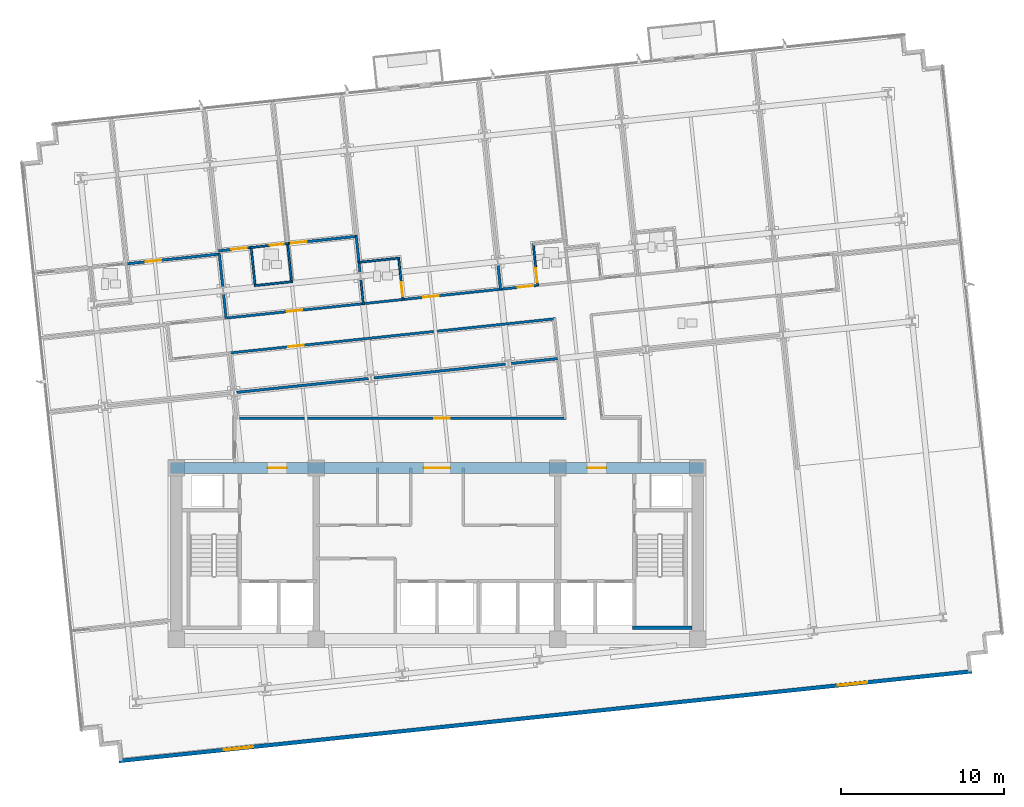
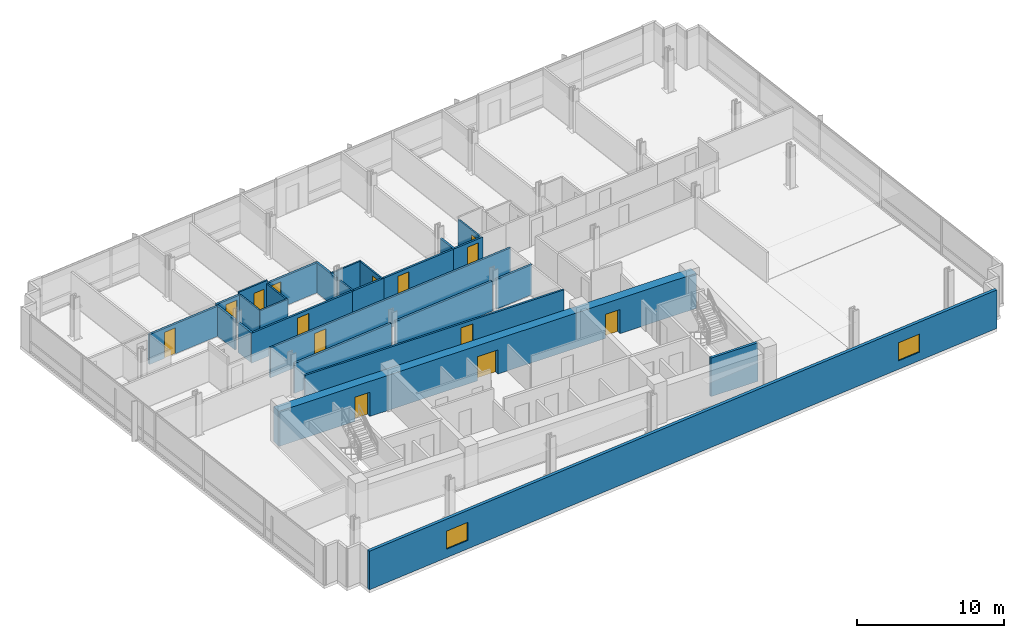
# One storey, part 11 of 18: 27 walls, 14 doors, 2 windows, 16 openings.
"""IFC4 building model written with IfcOpenShell, lengths in metres."""

from ifc_helpers import new_model, si_unit, direction, frame, frame_2d, origin, place, context, subcontext, project, spatial, rectangle, extrude, material, layer, layer_set, type_object, element, fill, save


model = new_model("IFC4")

# Units and contexts
model_context = context("Model", 3, precision=1e-05, world=origin(), true_north=direction((0.0, 1.0)))
body_context = subcontext(model_context, "Body", "Model", "MODEL_VIEW")
ifc_project = project(units=[si_unit("LENGTHUNIT", "METRE"), si_unit("AREAUNIT", "SQUARE_METRE"), si_unit("VOLUMEUNIT", "CUBIC_METRE"), si_unit("PLANEANGLEUNIT", "RADIAN"), si_unit("MASSUNIT", "GRAM", prefix="KILO")], contexts=[model_context])

# Site, building, storey
site_placement = place(None, origin())
site = spatial("IfcSite", under=ifc_project, at=site_placement, CompositionType="ELEMENT")
building_placement = place(site_placement, origin())
building = spatial("IfcBuilding", under=site, at=building_placement, Name="Solmavex Isthmus Hotel", CompositionType="ELEMENT")
storey_placement = place(building_placement, frame((0.0, 0.0, 120.14990234375)))
storey = spatial("IfcBuildingStorey", under=building, at=storey_placement, Name="L32", CompositionType="ELEMENT", Elevation=120.14990234375)

# Wall, openings, windows
ifc_material_1 = material(Name="Precast Concrete C40/50", Category="concrete")
ifc_layer_1 = layer(ifc_material_1, 0.25)
ifc_layer_set_1 = layer_set([ifc_layer_1], Name="Precast Concrete C40/50")
wall_type_1 = type_object("IfcWallType", Name="EW-TWR-250", PredefinedType="STANDARD", material=ifc_layer_set_1)
wall_1_placement = place(storey_placement, frame((-19.504150390625, -20.4716796875, 0.0), z_axis=(0.0, 0.0, 1.0), x_axis=(0.994521743132, 0.104529911687, 0.0)))
wall_1 = element("IfcWall", 1, at=wall_1_placement, inside=storey, type_object=wall_type_1, Name="Tower Rear South Facade Wall L32", PredefinedType="STANDARD", context=body_context, shape_type="SweptSolid", body=[
    extrude(rectangle(XDim=52.60009765625, YDim=0.239990234375, at=frame_2d((26.300048828125, 0.0))), origin(), (0.0, 0.0, 1.0), 3.190185546875),
])
opening_1_placement = place(wall_1_placement, frame((6.464111328125, 0.0, 0.699951171875)))
opening_1 = element("IfcOpeningElement", 2, at=opening_1_placement, cuts=wall_1, Name="Opening WN-02", PredefinedType="OPENING", context=body_context, shape_type="SweptSolid", body=[
    extrude(rectangle(XDim=1.800048828125, YDim=1.5, at=frame_2d((0.89990234375, 0.75))), frame((0.0, 0.1298828125, 0.0), z_axis=(0.0, -1.0, 0.0), x_axis=(1.0, 0.0, 0.0)), (0.0, 0.0, 1.0), 0.260009765625),
])
opening_2_placement = place(wall_1_placement, frame((44.3359375, 0.0, 0.699951171875)))
opening_2 = element("IfcOpeningElement", 3, at=opening_2_placement, cuts=wall_1, Name="Opening WN-02", PredefinedType="OPENING", context=body_context, shape_type="SweptSolid", body=[
    extrude(rectangle(XDim=1.800048828125, YDim=1.5, at=frame_2d((0.89990234375, 0.75))), frame((0.0, 0.1298828125, 0.0), z_axis=(0.0, -1.0, 0.0), x_axis=(1.0, 0.0, 0.0)), (0.0, 0.0, 1.0), 0.260009765625),
])
ifc_material_2 = material(Name="Clear low-E laminated glass", Category="glass")
window_type = type_object("IfcWindowType", Name="WIN-TWR-1800", PartitioningType="SINGLE_PANEL", PredefinedType="WINDOW", material=ifc_material_2)
window_1_placement = place(opening_1_placement, origin())
window_1 = element("IfcWindow", 4, at=window_1_placement, inside=storey, type_object=window_type, Name="South Facade Vision Window L32-S1", OverallHeight=1.5, OverallWidth=1.800048828125, PartitioningType="SINGLE_PANEL", PredefinedType="WINDOW", context=body_context, shape_type="SweptSolid", body=[
    extrude(rectangle(XDim=1.800048828125, YDim=1.5, at=frame_2d((0.89990234375, 0.75))), frame((0.0, 0.030029296875, 0.0), z_axis=(0.0, -1.0, 0.0), x_axis=(1.0, 0.0, 0.0)), (0.0, 0.0, 1.0), 0.06005859375),
])
fill(opening_1, window_1)
window_2_placement = place(opening_2_placement, origin())
window_2 = element("IfcWindow", 5, at=window_2_placement, inside=storey, type_object=window_type, Name="South Facade Vision Window L32-S2", OverallHeight=1.5, OverallWidth=1.800048828125, PartitioningType="SINGLE_PANEL", PredefinedType="WINDOW", context=body_context, shape_type="SweptSolid", body=[
    extrude(rectangle(XDim=1.800048828125, YDim=1.5, at=frame_2d((0.89990234375, 0.75))), frame((0.0, 0.030029296875, 0.0), z_axis=(0.0, -1.0, 0.0), x_axis=(1.0, 0.0, 0.0)), (0.0, 0.0, 1.0), 0.06005859375),
])
fill(opening_2, window_2)

# Wall, opening, door
ifc_material_3 = material(Name="Gypsum plasterboard lining", Category="gypsum")
ifc_layer_2 = layer(ifc_material_3, 0.159912109375)
ifc_layer_set_2 = layer_set([ifc_layer_2], Name="Gypsum plasterboard lining")
wall_type_2 = type_object("IfcWallType", Name="IW-COMP-160", PredefinedType="PARTITIONING", material=ifc_layer_set_2)
wall_2_placement = place(storey_placement, frame((-19.0947265625, 10.016357421875, 0.0), z_axis=(0.0, 0.0, 1.0), x_axis=(0.994523155578, 0.104516472481, 0.0)))
wall_2 = element("IfcWall", 6, at=wall_2_placement, inside=storey, type_object=wall_type_2, Name="Interior Partition Wall W-L32-P027", PredefinedType="PARTITIONING", context=body_context, shape_type="SweptSolid", body=[
    extrude(rectangle(XDim=5.81396484375, YDim=0.159912109375, at=frame_2d((2.906982421875, 0.0))), origin(), (0.0, 0.0, 1.0), 2.4794921875),
])
opening_3_placement = place(wall_2_placement, frame((1.227783203125, 0.0, 0.0)))
opening_3 = element("IfcOpeningElement", 7, at=opening_3_placement, cuts=wall_2, Name="Opening ID-C095", PredefinedType="OPENING", context=body_context, shape_type="SweptSolid", body=[
    extrude(rectangle(XDim=0.949951171875, YDim=2.14990234375, at=frame_2d((0.47509765625, 1.074951171875))), frame((0.0, 0.08984375, 0.0), z_axis=(0.0, -1.0, 0.0), x_axis=(1.0, 0.0, 0.0)), (0.0, 0.0, 1.0), 0.179931640625),
])
ifc_material_4 = material(Name="Hardwood timber", Category="wood")
door_type_1 = type_object("IfcDoorType", Name="IDR-FD60-0950", OperationType="NOTDEFINED", PredefinedType="DOOR", material=ifc_material_4)
door_1_placement = place(opening_3_placement, origin())
door_1 = element("IfcDoor", 8, at=door_1_placement, inside=storey, type_object=door_type_1, Name="Ambassador Panorama Suite Panorama Sitting Study Door L32-03", OperationType="SINGLE_SWING_LEFT", OverallHeight=2.14990234375, OverallWidth=0.949951171875, PredefinedType="DOOR", context=body_context, shape_type="SweptSolid", body=[
    extrude(rectangle(XDim=0.949951171875, YDim=2.14990234375, at=frame_2d((0.47509765625, 1.074951171875))), frame((0.0, 0.02490234375, 0.0), z_axis=(0.0, -1.0, 0.0), x_axis=(1.0, 0.0, 0.0)), (0.0, 0.0, 1.0), 0.050048828125),
])
fill(opening_3, door_1)

# Walls
wall_3_placement = place(storey_placement, frame((-13.3564453125, 10.65966796875, 0.0), z_axis=(0.0, 0.0, 1.0), x_axis=(0.104522458077, -0.994522526521, 0.0)))
element("IfcWall", 9, at=wall_3_placement, inside=storey, type_object=wall_type_2, Name="Interior Partition Wall W-L32-P031", PredefinedType="PARTITIONING", context=body_context, shape_type="SweptSolid", body=[
    extrude(rectangle(XDim=2.11376953125, YDim=0.159912109375, at=frame_2d((1.056884765625, 0.0))), origin(), (0.0, 0.0, 1.0), 2.4794921875),
])
wall_4_placement = place(storey_placement, frame((-13.0986328125, 8.206787109375, 0.0), z_axis=(0.0, 0.0, 1.0), x_axis=(0.104578999325, -0.994516582516, 0.0)))
element("IfcWall", 10, at=wall_4_placement, inside=storey, type_object=wall_type_2, Name="Interior Partition Wall W-L32-P032", PredefinedType="PARTITIONING", context=body_context, shape_type="SweptSolid", body=[
    extrude(rectangle(XDim=1.561767578125, YDim=0.159912109375, at=frame_2d((0.78076171875, 0.0))), origin(), (0.0, 0.0, 1.0), 2.4794921875),
])

# Wall, opening, door
wall_5_placement = place(storey_placement, frame((-13.412841796875, 10.814453125, 0.0), z_axis=(0.0, 0.0, 1.0), x_axis=(0.994511936055, 0.104623176422, 0.0)))
wall_5 = element("IfcWall", 11, at=wall_5_placement, inside=storey, type_object=wall_type_2, Name="Interior Partition Wall W-L32-P038", PredefinedType="PARTITIONING", context=body_context, shape_type="SweptSolid", body=[
    extrude(rectangle(XDim=2.062744140625, YDim=0.159912109375, at=frame_2d((1.03125, 0.0))), origin(), (0.0, 0.0, 1.0), 2.4794921875),
])
opening_4_placement = place(wall_5_placement, frame((0.806396484375, 0.0, 0.0)))
opening_4 = element("IfcOpeningElement", 12, at=opening_4_placement, cuts=wall_5, Name="Opening ID-C095", PredefinedType="OPENING", context=body_context, shape_type="SweptSolid", body=[
    extrude(rectangle(XDim=0.949951171875, YDim=2.14990234375, at=frame_2d((0.47509765625, 1.074951171875))), frame((0.0, 0.08984375, 0.0), z_axis=(0.0, -1.0, 0.0), x_axis=(1.0, 0.0, 0.0)), (0.0, 0.0, 1.0), 0.179931640625),
])
door_2_placement = place(opening_4_placement, origin())
door_2 = element("IfcDoor", 13, at=door_2_placement, inside=storey, type_object=door_type_1, Name="Diplomatic Hospitality Suite Bedroom Door L32-06", OperationType="SINGLE_SWING_RIGHT", OverallHeight=2.14990234375, OverallWidth=0.949951171875, PredefinedType="DOOR", context=body_context, shape_type="SweptSolid", body=[
    extrude(rectangle(XDim=0.949951171875, YDim=2.14990234375, at=frame_2d((0.47509765625, 1.074951171875))), frame((0.0, 0.02490234375, 0.0), z_axis=(0.0, -1.0, 0.0), x_axis=(1.0, 0.0, 0.0)), (0.0, 0.0, 1.0), 0.050048828125),
])
fill(opening_4, door_2)

wall_6_placement = place(storey_placement, frame((-9.203125, 11.257080078125, 0.0), z_axis=(0.0, 0.0, 1.0), x_axis=(0.994525286201, 0.104496196615, 0.0)))
wall_6 = element("IfcWall", 14, at=wall_6_placement, inside=storey, type_object=wall_type_2, Name="Interior Partition Wall W-L32-P039", PredefinedType="PARTITIONING", context=body_context, shape_type="SweptSolid", body=[
    extrude(rectangle(XDim=4.31298828125, YDim=0.159912109375, at=frame_2d((2.156494140625, 0.0))), origin(), (0.0, 0.0, 1.0), 2.4794921875),
])
opening_5_placement = place(wall_6_placement, frame((0.25927734375, 0.0, 0.0)))
opening_5 = element("IfcOpeningElement", 15, at=opening_5_placement, cuts=wall_6, Name="Opening ID-C095", PredefinedType="OPENING", context=body_context, shape_type="SweptSolid", body=[
    extrude(rectangle(XDim=0.949951171875, YDim=2.14990234375, at=frame_2d((0.47509765625, 1.074951171875))), frame((0.0, 0.08984375, 0.0), z_axis=(0.0, -1.0, 0.0), x_axis=(1.0, 0.0, 0.0)), (0.0, 0.0, 1.0), 0.179931640625),
])
door_3_placement = place(opening_5_placement, origin())
door_3 = element("IfcDoor", 16, at=door_3_placement, inside=storey, type_object=door_type_1, Name="Diplomatic Hospitality Suite Sitting Lounge Door L32-07", OperationType="SINGLE_SWING_LEFT", OverallHeight=2.14990234375, OverallWidth=0.949951171875, PredefinedType="DOOR", context=body_context, shape_type="SweptSolid", body=[
    extrude(rectangle(XDim=0.949951171875, YDim=2.14990234375, at=frame_2d((0.47509765625, 1.074951171875))), frame((0.0, 0.02490234375, 0.0), z_axis=(0.0, -1.0, 0.0), x_axis=(1.0, 0.0, 0.0)), (0.0, 0.0, 1.0), 0.050048828125),
])
fill(opening_5, door_3)

# Walls
wall_7_placement = place(storey_placement, frame((-4.957763671875, 11.743408203125, 0.0), z_axis=(0.0, 0.0, 1.0), x_axis=(0.104569435529, -0.994517588157, 0.0)))
element("IfcWall", 17, at=wall_7_placement, inside=storey, type_object=wall_type_2, Name="Interior Partition Wall W-L32-P043", PredefinedType="PARTITIONING", context=body_context, shape_type="SweptSolid", body=[
    extrude(rectangle(XDim=2.313720703125, YDim=0.159912109375, at=frame_2d((1.15673828125, 0.0))), origin(), (0.0, 0.0, 1.0), 2.4794921875),
])
wall_8_placement = place(storey_placement, frame((3.740478515625, 9.976806640625, 0.0), z_axis=(0.0, 0.0, 1.0), x_axis=(0.104578999325, -0.994516582516, 0.0)))
element("IfcWall", 18, at=wall_8_placement, inside=storey, type_object=wall_type_2, Name="Interior Partition Wall W-L32-P053", PredefinedType="PARTITIONING", context=body_context, shape_type="SweptSolid", body=[
    extrude(rectangle(XDim=1.561767578125, YDim=0.159912109375, at=frame_2d((0.78076171875, 0.0))), origin(), (0.0, 0.0, 1.0), 2.4794921875),
])
wall_9_placement = place(storey_placement, frame((-4.21435546875, 2.985107421875, 0.0), z_axis=(0.0, 0.0, 1.0), x_axis=(-0.994521269983, -0.104534413238, 0.0)))
element("IfcWall", 19, at=wall_9_placement, inside=storey, type_object=wall_type_2, Name="Interior Partition Wall W-L32-P075", PredefinedType="PARTITIONING", context=body_context, shape_type="SweptSolid", body=[
    extrude(rectangle(XDim=8.113525390625, YDim=0.159912109375, at=frame_2d((4.056640625, 0.0))), origin(), (0.0, 0.0, 1.0), 2.4794921875),
])
wall_10_placement = place(storey_placement, frame((4.205322265625, 3.8701171875, 0.0), z_axis=(0.0, 0.0, 1.0), x_axis=(-0.994521598781, -0.104531285071, 0.0)))
element("IfcWall", 20, at=wall_10_placement, inside=storey, type_object=wall_type_2, Name="Interior Partition Wall W-L32-P076", PredefinedType="PARTITIONING", context=body_context, shape_type="SweptSolid", body=[
    extrude(rectangle(XDim=8.11376953125, YDim=0.159912109375, at=frame_2d((4.056884765625, 0.0))), origin(), (0.0, 0.0, 1.0), 2.4794921875),
])
wall_11_placement = place(storey_placement, frame((7.51611328125, 4.218017578125, 0.0), z_axis=(0.0, 0.0, 1.0), x_axis=(-0.994526106058, -0.104488393462, 0.0)))
element("IfcWall", 21, at=wall_11_placement, inside=storey, type_object=wall_type_2, Name="Interior Partition Wall W-L32-P077", PredefinedType="PARTITIONING", context=body_context, shape_type="SweptSolid", body=[
    extrude(rectangle(XDim=2.976806640625, YDim=0.159912109375, at=frame_2d((1.48828125, 0.0))), origin(), (0.0, 0.0, 1.0), 2.4794921875),
])

# Wall, opening, door
ifc_layer_3 = layer(ifc_material_3, 0.14990234375)
ifc_layer_set_3 = layer_set([ifc_layer_3], Name="Gypsum plasterboard lining")
wall_type_3 = type_object("IfcWallType", Name="IW-CORR-150", PredefinedType="PARTITIONING", material=ifc_layer_set_3)
wall_12_placement = place(storey_placement, frame((-13.021240234375, 6.684814453125, 0.0), z_axis=(0.0, 0.0, 1.0), x_axis=(0.994521717123, 0.104530159146, 0.0)))
wall_12 = element("IfcWall", 22, at=wall_12_placement, inside=storey, type_object=wall_type_3, Name="Interior Partition Wall W-L32-P002", PredefinedType="PARTITIONING", context=body_context, shape_type="SweptSolid", body=[
    extrude(rectangle(XDim=8.630126953125, YDim=0.14990234375, at=frame_2d((4.31494140625, 0.0))), origin(), (0.0, 0.0, 1.0), 2.4794921875),
])
opening_6_placement = place(wall_12_placement, frame((3.840087890625, 0.0, 0.0)))
opening_6 = element("IfcOpeningElement", 23, at=opening_6_placement, cuts=wall_12, Name="Opening ID-C095", PredefinedType="OPENING", context=body_context, shape_type="SweptSolid", body=[
    extrude(rectangle(XDim=0.949951171875, YDim=2.14990234375, at=frame_2d((0.47509765625, 1.074951171875))), frame((0.0, 0.0849609375, 0.0), z_axis=(0.0, -1.0, 0.0), x_axis=(1.0, 0.0, 0.0)), (0.0, 0.0, 1.0), 0.169921875),
])
door_4_placement = place(opening_6_placement, frame((0.949951171875, 0.0, 0.0), z_axis=(0.0, 0.0, 1.0), x_axis=(-1.0, 0.0, 0.0)))
door_4 = element("IfcDoor", 24, at=door_4_placement, inside=storey, type_object=door_type_1, Name="Diplomatic Hospitality Suite Reception Foyer Door L32-05", OperationType="SINGLE_SWING_LEFT", OverallHeight=2.14990234375, OverallWidth=0.949951171875, PredefinedType="DOOR", context=body_context, shape_type="SweptSolid", body=[
    extrude(rectangle(XDim=0.949951171875, YDim=2.14990234375, at=frame_2d((0.47509765625, 1.074951171875))), frame((0.0, 0.02490234375, 0.0), z_axis=(0.0, -1.0, 0.0), x_axis=(1.0, 0.0, 0.0)), (0.0, 0.0, 1.0), 0.050048828125),
])
fill(opening_6, door_4)

wall_13_placement = place(storey_placement, frame((-2.1650390625, 7.825927734375, 0.0), z_axis=(0.0, 0.0, 1.0), x_axis=(0.994521891766, 0.104528497542, 0.0)))
wall_13 = element("IfcWall", 25, at=wall_13_placement, inside=storey, type_object=wall_type_3, Name="Interior Partition Wall W-L32-P003", PredefinedType="PARTITIONING", context=body_context, shape_type="SweptSolid", body=[
    extrude(rectangle(XDim=6.18017578125, YDim=0.14990234375, at=frame_2d((3.090087890625, 0.0))), origin(), (0.0, 0.0, 1.0), 2.4794921875),
])
opening_7_placement = place(wall_13_placement, frame((1.333984375, 0.0, 0.0)))
opening_7 = element("IfcOpeningElement", 26, at=opening_7_placement, cuts=wall_13, Name="Opening ID-C095", PredefinedType="OPENING", context=body_context, shape_type="SweptSolid", body=[
    extrude(rectangle(XDim=0.949951171875, YDim=2.14990234375, at=frame_2d((0.47509765625, 1.074951171875))), frame((0.0, 0.0849609375, 0.0), z_axis=(0.0, -1.0, 0.0), x_axis=(1.0, 0.0, 0.0)), (0.0, 0.0, 1.0), 0.169921875),
])
door_5_placement = place(opening_7_placement, frame((0.949951171875, 0.0, 0.0), z_axis=(0.0, 0.0, 1.0), x_axis=(-1.0, 0.0, 0.0)))
door_5 = element("IfcDoor", 27, at=door_5_placement, inside=storey, type_object=door_type_1, Name="Ambassador Suite Door L32-09", OperationType="SINGLE_SWING_LEFT", OverallHeight=2.14990234375, OverallWidth=0.949951171875, PredefinedType="DOOR", context=body_context, shape_type="SweptSolid", body=[
    extrude(rectangle(XDim=0.949951171875, YDim=2.14990234375, at=frame_2d((0.47509765625, 1.074951171875))), frame((0.0, 0.02490234375, 0.0), z_axis=(0.0, -1.0, 0.0), x_axis=(1.0, 0.0, 0.0)), (0.0, 0.0, 1.0), 0.050048828125),
])
fill(opening_7, door_5)

# Wall
wall_14_placement = place(storey_placement, frame((-4.6015625, 7.56982421875, 0.0), z_axis=(0.0, 0.0, 1.0), x_axis=(0.994524370789, 0.104504908528, 0.0)))
element("IfcWall", 28, at=wall_14_placement, inside=storey, type_object=wall_type_3, Name="Interior Partition Wall W-L32-P004", PredefinedType="PARTITIONING", context=body_context, shape_type="SweptSolid", body=[
    extrude(rectangle(XDim=2.6142578125, YDim=0.14990234375, at=frame_2d((1.30712890625, 0.0))), origin(), (0.0, 0.0, 1.0), 2.4794921875),
])

# Wall, opening, door
wall_15_placement = place(storey_placement, frame((3.818115234375, 8.454833984375, 0.0), z_axis=(0.0, 0.0, 1.0), x_axis=(0.994530544661, 0.10444613797, 0.0)))
wall_15 = element("IfcWall", 29, at=wall_15_placement, inside=storey, type_object=wall_type_3, Name="Interior Partition Wall W-L32-P005", PredefinedType="PARTITIONING", context=body_context, shape_type="SweptSolid", body=[
    extrude(rectangle(XDim=2.44970703125, YDim=0.14990234375, at=frame_2d((1.224853515625, 0.0))), origin(), (0.0, 0.0, 1.0), 2.4794921875),
])
opening_8_placement = place(wall_15_placement, frame((1.14794921875, 0.0, 0.0)))
opening_8 = element("IfcOpeningElement", 30, at=opening_8_placement, cuts=wall_15, Name="Opening ID-C095", PredefinedType="OPENING", context=body_context, shape_type="SweptSolid", body=[
    extrude(rectangle(XDim=0.949951171875, YDim=2.14990234375, at=frame_2d((0.47509765625, 1.074951171875))), frame((0.0, 0.0849609375, 0.0), z_axis=(0.0, -1.0, 0.0), x_axis=(1.0, 0.0, 0.0)), (0.0, 0.0, 1.0), 0.169921875),
])
door_6_placement = place(opening_8_placement, frame((0.949951171875, 0.0, 0.0), z_axis=(0.0, 0.0, 1.0), x_axis=(-1.0, 0.0, 0.0)))
door_6 = element("IfcDoor", 31, at=door_6_placement, inside=storey, type_object=door_type_1, Name="Premier Suite Door L32-11", OperationType="SINGLE_SWING_LEFT", OverallHeight=2.14990234375, OverallWidth=0.949951171875, PredefinedType="DOOR", context=body_context, shape_type="SweptSolid", body=[
    extrude(rectangle(XDim=0.949951171875, YDim=2.14990234375, at=frame_2d((0.47509765625, 1.074951171875))), frame((0.0, 0.02490234375, 0.0), z_axis=(0.0, -1.0, 0.0), x_axis=(1.0, 0.0, 0.0)), (0.0, 0.0, 1.0), 0.050048828125),
])
fill(opening_8, door_6)

wall_16_placement = place(storey_placement, frame((7.260009765625, 6.654541015625, 0.0), z_axis=(0.0, 0.0, 1.0), x_axis=(-0.994522421445, -0.104523457861, 0.0)))
wall_16 = element("IfcWall", 32, at=wall_16_placement, inside=storey, type_object=wall_type_3, Name="Interior Partition Wall W-L32-P017", PredefinedType="PARTITIONING", context=body_context, shape_type="SweptSolid", body=[
    extrude(rectangle(XDim=20.166748046875, YDim=0.14990234375, at=frame_2d((10.08349609375, 0.0))), origin(), (0.0, 0.0, 1.0), 2.4794921875),
])
opening_9_placement = place(wall_16_placement, frame((15.51416015625, 0.0, 0.0)))
opening_9 = element("IfcOpeningElement", 33, at=opening_9_placement, cuts=wall_16, Name="Opening ID-C095", PredefinedType="OPENING", context=body_context, shape_type="SweptSolid", body=[
    extrude(rectangle(XDim=0.949951171875, YDim=2.14990234375, at=frame_2d((0.47509765625, 1.074951171875))), frame((0.0, 0.0849609375, 0.0), z_axis=(0.0, -1.0, 0.0), x_axis=(1.0, 0.0, 0.0)), (0.0, 0.0, 1.0), 0.169921875),
])
door_7_placement = place(opening_9_placement, frame((0.949951171875, 0.0, 0.0), z_axis=(0.0, 0.0, 1.0), x_axis=(-1.0, 0.0, 0.0)))
door_7 = element("IfcDoor", 34, at=door_7_placement, inside=storey, type_object=door_type_1, Name="Seminar Meeting Room Door L32-20", OperationType="SINGLE_SWING_RIGHT", OverallHeight=2.14990234375, OverallWidth=0.949951171875, PredefinedType="DOOR", context=body_context, shape_type="SweptSolid", body=[
    extrude(rectangle(XDim=0.949951171875, YDim=2.14990234375, at=frame_2d((0.47509765625, 1.074951171875))), frame((0.0, 0.02490234375, 0.0), z_axis=(0.0, -1.0, 0.0), x_axis=(1.0, 0.0, 0.0)), (0.0, 0.0, 1.0), 0.050048828125),
])
fill(opening_9, door_7)

wall_17_placement = place(storey_placement, frame((-12.376220703125, 0.550048828125, 0.0), z_axis=(0.0, 0.0, 1.0), x_axis=(1.0, 0.0, 0.0)))
wall_17 = element("IfcWall", 35, at=wall_17_placement, inside=storey, type_object=wall_type_3, Name="Interior Partition Wall W-L32-P018", PredefinedType="PARTITIONING", context=body_context, shape_type="SweptSolid", body=[
    extrude(rectangle(XDim=20.27783203125, YDim=0.14990234375, at=frame_2d((10.138916015625, 0.0))), origin(), (0.0, 0.0, 1.0), 2.4794921875),
])
opening_10_placement = place(wall_17_placement, frame((12.208740234375, 0.0, 0.0)))
opening_10 = element("IfcOpeningElement", 36, at=opening_10_placement, cuts=wall_17, Name="Opening ID-C095", PredefinedType="OPENING", context=body_context, shape_type="SweptSolid", body=[
    extrude(rectangle(XDim=0.949951171875, YDim=2.14990234375, at=frame_2d((0.47509765625, 1.074951171875))), frame((0.0, 0.0849609375, 0.0), z_axis=(0.0, -1.0, 0.0), x_axis=(1.0, 0.0, 0.0)), (0.0, 0.0, 1.0), 0.169921875),
])
door_8_placement = place(opening_10_placement, frame((0.949951171875, 0.0, 0.0), z_axis=(0.0, 0.0, 1.0), x_axis=(-1.0, 0.0, 0.0)))
door_8 = element("IfcDoor", 37, at=door_8_placement, inside=storey, type_object=door_type_1, Name="Catering Servery Kitchen Door L32-21", OperationType="SINGLE_SWING_LEFT", OverallHeight=2.14990234375, OverallWidth=0.949951171875, PredefinedType="DOOR", context=body_context, shape_type="SweptSolid", body=[
    extrude(rectangle(XDim=0.949951171875, YDim=2.14990234375, at=frame_2d((0.47509765625, 1.074951171875))), frame((0.0, 0.02490234375, 0.0), z_axis=(0.0, -1.0, 0.0), x_axis=(1.0, 0.0, 0.0)), (0.0, 0.0, 1.0), 0.050048828125),
])
fill(opening_10, door_8)

# Walls
ifc_layer_4 = layer(ifc_material_3, 0.1201171875)
ifc_layer_set_4 = layer_set([ifc_layer_4], Name="Gypsum plasterboard lining")
wall_type_4 = type_object("IfcWallType", Name="IW-PART-120", PredefinedType="PARTITIONING", material=ifc_layer_set_4)
wall_18_placement = place(storey_placement, frame((-11.4052734375, 11.065673828125, 0.0), z_axis=(0.0, 0.0, 1.0), x_axis=(0.104595869421, -0.994514808387, 0.0)))
element("IfcWall", 38, at=wall_18_placement, inside=storey, type_object=wall_type_4, Name="Interior Partition Wall W-L32-P040", PredefinedType="PARTITIONING", context=body_context, shape_type="SweptSolid", body=[
    extrude(rectangle(XDim=2.429931640625, YDim=0.1201171875, at=frame_2d((1.21484375, 0.0))), origin(), (0.0, 0.0, 1.0), 2.4794921875),
])
wall_19_placement = place(storey_placement, frame((-11.195068359375, 8.6845703125, 0.0), z_axis=(0.0, 0.0, 1.0), x_axis=(0.994516930255, 0.104575692382, 0.0)))
element("IfcWall", 39, at=wall_19_placement, inside=storey, type_object=wall_type_4, Name="Interior Partition Wall W-L32-P041", PredefinedType="PARTITIONING", context=body_context, shape_type="SweptSolid", body=[
    extrude(rectangle(XDim=2.329833984375, YDim=0.1201171875, at=frame_2d((1.1650390625, 0.0))), origin(), (0.0, 0.0, 1.0), 2.4794921875),
])
wall_20_placement = place(storey_placement, frame((-8.91357421875, 8.88427734375, 0.0), z_axis=(0.0, 0.0, 1.0), x_axis=(-0.104486049741, 0.994526352295, 0.0)))
element("IfcWall", 40, at=wall_20_placement, inside=storey, type_object=wall_type_4, Name="Interior Partition Wall W-L32-P042", PredefinedType="PARTITIONING", context=body_context, shape_type="SweptSolid", body=[
    extrude(rectangle(XDim=2.429931640625, YDim=0.1201171875, at=frame_2d((1.21484375, 0.0))), origin(), (0.0, 0.0, 1.0), 2.4794921875),
])
wall_21_placement = place(storey_placement, frame((-4.678955078125, 9.091796875, 0.0), z_axis=(0.0, 0.0, 1.0), x_axis=(0.104424383811, -0.994532829054, 0.0)))
element("IfcWall", 41, at=wall_21_placement, inside=storey, type_object=wall_type_4, Name="Interior Partition Wall W-L32-P044", PredefinedType="PARTITIONING", context=body_context, shape_type="SweptSolid", body=[
    extrude(rectangle(XDim=1.561767578125, YDim=0.1201171875, at=frame_2d((0.78076171875, 0.0))), origin(), (0.0, 0.0, 1.0), 2.4794921875),
])

# Wall, opening, door
wall_22_placement = place(storey_placement, frame((-9.12353515625, 11.265380859375, 0.0), z_axis=(0.0, 0.0, 1.0), x_axis=(-0.994517852755, -0.104566919011, 0.0)))
wall_22 = element("IfcWall", 42, at=wall_22_placement, inside=storey, type_object=wall_type_4, Name="Interior Partition Wall W-L32-P046", PredefinedType="PARTITIONING", context=body_context, shape_type="SweptSolid", body=[
    extrude(rectangle(XDim=2.3720703125, YDim=0.1201171875, at=frame_2d((1.18603515625, 0.0))), origin(), (0.0, 0.0, 1.0), 2.71826171875),
])
opening_11_placement = place(wall_22_placement, frame((0.27978515625, 0.0, 0.0)))
opening_11 = element("IfcOpeningElement", 43, at=opening_11_placement, cuts=wall_22, Name="Opening ID-U085", PredefinedType="OPENING", context=body_context, shape_type="SweptSolid", body=[
    extrude(rectangle(XDim=0.85009765625, YDim=2.10009765625, at=frame_2d((0.425048828125, 1.050048828125))), frame((0.0, 0.070068359375, 0.0), z_axis=(0.0, -1.0, 0.0), x_axis=(1.0, 0.0, 0.0)), (0.0, 0.0, 1.0), 0.14013671875),
])
door_type_2 = type_object("IfcDoorType", Name="IDR-UNR-0850", OperationType="NOTDEFINED", PredefinedType="DOOR", material=ifc_material_4)
door_9_placement = place(opening_11_placement, frame((0.85009765625, 0.0, 0.0), z_axis=(0.0, 0.0, 1.0), x_axis=(-1.0, 0.0, 0.0)))
door_9 = element("IfcDoor", 44, at=door_9_placement, inside=storey, type_object=door_type_2, Name="En-suite Bathroom Door L32-08", OperationType="SINGLE_SWING_RIGHT", OverallHeight=2.10009765625, OverallWidth=0.85009765625, PredefinedType="DOOR", context=body_context, shape_type="SweptSolid", body=[
    extrude(rectangle(XDim=0.85009765625, YDim=2.10009765625, at=frame_2d((0.425048828125, 1.050048828125))), frame((0.0, 0.02490234375, 0.0), z_axis=(0.0, -1.0, 0.0), x_axis=(1.0, 0.0, 0.0)), (0.0, 0.0, 1.0), 0.050048828125),
])
fill(opening_11, door_9)

wall_23_placement = place(storey_placement, frame((-2.0791015625, 7.794677734375, 0.0), z_axis=(0.0, 0.0, 1.0), x_axis=(-0.104530146087, 0.994521718495, 0.0)))
wall_23 = element("IfcWall", 45, at=wall_23_placement, inside=storey, type_object=wall_type_4, Name="Interior Partition Wall W-L32-P049", PredefinedType="PARTITIONING", context=body_context, shape_type="SweptSolid", body=[
    extrude(rectangle(XDim=2.6298828125, YDim=0.1201171875, at=frame_2d((1.31494140625, 0.0))), origin(), (0.0, 0.0, 1.0), 2.4794921875),
])
opening_12_placement = place(wall_23_placement, frame((0.247314453125, 0.0, 0.0)))
opening_12 = element("IfcOpeningElement", 46, at=opening_12_placement, cuts=wall_23, Name="Opening ID-U085", PredefinedType="OPENING", context=body_context, shape_type="SweptSolid", body=[
    extrude(rectangle(XDim=0.85009765625, YDim=2.10009765625, at=frame_2d((0.425048828125, 1.050048828125))), frame((0.0, 0.070068359375, 0.0), z_axis=(0.0, -1.0, 0.0), x_axis=(1.0, 0.0, 0.0)), (0.0, 0.0, 1.0), 0.14013671875),
])
door_10_placement = place(opening_12_placement, frame((0.85009765625, 0.0, 0.0), z_axis=(0.0, 0.0, 1.0), x_axis=(-1.0, 0.0, 0.0)))
door_10 = element("IfcDoor", 47, at=door_10_placement, inside=storey, type_object=door_type_2, Name="En-suite Bathroom Door L32-10", OperationType="SINGLE_SWING_RIGHT", OverallHeight=2.10009765625, OverallWidth=0.85009765625, PredefinedType="DOOR", context=body_context, shape_type="SweptSolid", body=[
    extrude(rectangle(XDim=0.85009765625, YDim=2.10009765625, at=frame_2d((0.425048828125, 1.050048828125))), frame((0.0, 0.02490234375, 0.0), z_axis=(0.0, -1.0, 0.0), x_axis=(1.0, 0.0, 0.0)), (0.0, 0.0, 1.0), 0.050048828125),
])
fill(opening_12, door_10)

# Wall
wall_24_placement = place(storey_placement, frame((-2.31005859375, 10.374755859375, 0.0), z_axis=(0.0, 0.0, 1.0), x_axis=(-0.994513909819, -0.104604412793, 0.0)))
element("IfcWall", 48, at=wall_24_placement, inside=storey, type_object=wall_type_4, Name="Interior Partition Wall W-L32-P050", PredefinedType="PARTITIONING", context=body_context, shape_type="SweptSolid", body=[
    extrude(rectangle(XDim=2.530029296875, YDim=0.1201171875, at=frame_2d((1.26513671875, 0.0))), origin(), (0.0, 0.0, 1.0), 2.4794921875),
])

# Wall, opening, door
wall_25_placement = place(storey_placement, frame((5.90234375, 11.278076171875, 0.0), z_axis=(0.0, 0.0, 1.0), x_axis=(0.104520496269, -0.994522732701, 0.0)))
wall_25 = element("IfcWall", 49, at=wall_25_placement, inside=storey, type_object=wall_type_4, Name="Interior Partition Wall W-L32-P055", PredefinedType="PARTITIONING", context=body_context, shape_type="SweptSolid", body=[
    extrude(rectangle(XDim=2.630126953125, YDim=0.1201171875, at=frame_2d((1.31494140625, 0.0))), origin(), (0.0, 0.0, 1.0), 2.4794921875),
])
opening_13_placement = place(wall_25_placement, frame((1.53271484375, 0.0, 0.0)))
opening_13 = element("IfcOpeningElement", 50, at=opening_13_placement, cuts=wall_25, Name="Opening ID-U085", PredefinedType="OPENING", context=body_context, shape_type="SweptSolid", body=[
    extrude(rectangle(XDim=0.85009765625, YDim=2.10009765625, at=frame_2d((0.425048828125, 1.050048828125))), frame((0.0, 0.070068359375, 0.0), z_axis=(0.0, -1.0, 0.0), x_axis=(1.0, 0.0, 0.0)), (0.0, 0.0, 1.0), 0.14013671875),
])
door_11_placement = place(opening_13_placement, origin())
door_11 = element("IfcDoor", 51, at=door_11_placement, inside=storey, type_object=door_type_2, Name="En-suite Bathroom Door L32-12", OperationType="SINGLE_SWING_RIGHT", OverallHeight=2.10009765625, OverallWidth=0.85009765625, PredefinedType="DOOR", context=body_context, shape_type="SweptSolid", body=[
    extrude(rectangle(XDim=0.85009765625, YDim=2.10009765625, at=frame_2d((0.425048828125, 1.050048828125))), frame((0.0, 0.02490234375, 0.0), z_axis=(0.0, -1.0, 0.0), x_axis=(1.0, 0.0, 0.0)), (0.0, 0.0, 1.0), 0.050048828125),
])
fill(opening_13, door_11)

# Wall, openings, doors
ifc_material_5 = material(Name="Concrete C60/75", Category="concrete")
ifc_layer_5 = layer(ifc_material_5, 0.699951171875)
ifc_layer_set_5 = layer_set([ifc_layer_5], Name="Concrete C60/75")
wall_type_5 = type_object("IfcWallType", Name="WALL-CW-700", PredefinedType="SHEAR", material=ifc_layer_set_5)
wall_26_placement = place(storey_placement, frame((-16.35009765625, -2.5, 0.0), z_axis=(0.0, 0.0, 1.0), x_axis=(1.0, 0.0, 0.0)))
wall_26 = element("IfcWall", 52, at=wall_26_placement, inside=storey, type_object=wall_type_5, Name="Core Shear Wall North L32", PredefinedType="SHEAR", context=body_context, shape_type="SweptSolid", body=[
    extrude(rectangle(XDim=32.7001953125, YDim=0.699951171875, at=frame_2d((16.35009765625, 0.0))), origin(), (0.0, 0.0, 1.0), 2.91015625),
])
opening_14_placement = place(wall_26_placement, frame((5.97509765625, 0.0, 0.0)))
opening_14 = element("IfcOpeningElement", 53, at=opening_14_placement, cuts=wall_26, Name="Opening ID-F915", PredefinedType="OPENING", context=body_context, shape_type="SweptSolid", body=[
    extrude(rectangle(XDim=1.14990234375, YDim=2.0, at=frame_2d((0.574951171875, 1.0))), frame((0.0, 0.35986328125, 0.0), z_axis=(0.0, -1.0, 0.0), x_axis=(1.0, 0.0, 0.0)), (0.0, 0.0, 1.0), 0.719970703125),
])
opening_15_placement = place(wall_26_placement, frame((15.550048828125, 0.0, 0.0)))
opening_15 = element("IfcOpeningElement", 54, at=opening_15_placement, cuts=wall_26, Name="Opening ID-F960", PredefinedType="OPENING", context=body_context, shape_type="SweptSolid", body=[
    extrude(rectangle(XDim=1.60009765625, YDim=2.0, at=frame_2d((0.800048828125, 1.0))), frame((0.0, 0.35986328125, 0.0), z_axis=(0.0, -1.0, 0.0), x_axis=(1.0, 0.0, 0.0)), (0.0, 0.0, 1.0), 0.719970703125),
])
opening_16_placement = place(wall_26_placement, frame((25.574951171875, 0.0, 0.0)))
opening_16 = element("IfcOpeningElement", 55, at=opening_16_placement, cuts=wall_26, Name="Opening ID-F915", PredefinedType="OPENING", context=body_context, shape_type="SweptSolid", body=[
    extrude(rectangle(XDim=1.14990234375, YDim=2.0, at=frame_2d((0.574951171875, 1.0))), frame((0.0, 0.35986328125, 0.0), z_axis=(0.0, -1.0, 0.0), x_axis=(1.0, 0.0, 0.0)), (0.0, 0.0, 1.0), 0.719970703125),
])
ifc_material_6 = material(Name="Steel ASTM A500 Grade C", Category="steel")
door_type_3 = type_object("IfcDoorType", Name="IDR-FD90-1150C", OperationType="NOTDEFINED", PredefinedType="DOOR", material=ifc_material_6)
door_12_placement = place(opening_14_placement, origin())
door_12 = element("IfcDoor", 56, at=door_12_placement, inside=storey, type_object=door_type_3, Name="Firefighting Lobby West Exit Door L32", OperationType="SINGLE_SWING_LEFT", OverallHeight=2.0, OverallWidth=1.14990234375, PredefinedType="DOOR", context=body_context, shape_type="SweptSolid", body=[
    extrude(rectangle(XDim=1.14990234375, YDim=2.0, at=frame_2d((0.574951171875, 1.0))), frame((0.0, 0.02490234375, 0.0), z_axis=(0.0, -1.0, 0.0), x_axis=(1.0, 0.0, 0.0)), (0.0, 0.0, 1.0), 0.050048828125),
])
fill(opening_14, door_12)
door_13_placement = place(opening_16_placement, origin())
door_13 = element("IfcDoor", 57, at=door_13_placement, inside=storey, type_object=door_type_3, Name="Firefighting Lobby East Exit Door L32", OperationType="SINGLE_SWING_RIGHT", OverallHeight=2.0, OverallWidth=1.14990234375, PredefinedType="DOOR", context=body_context, shape_type="SweptSolid", body=[
    extrude(rectangle(XDim=1.14990234375, YDim=2.0, at=frame_2d((0.574951171875, 1.0))), frame((0.0, 0.02490234375, 0.0), z_axis=(0.0, -1.0, 0.0), x_axis=(1.0, 0.0, 0.0)), (0.0, 0.0, 1.0), 0.050048828125),
])
fill(opening_16, door_13)
door_type_4 = type_object("IfcDoorType", Name="IDR-FD90-1600C", OperationType="NOTDEFINED", PredefinedType="DOOR", material=ifc_material_6)
door_14_placement = place(opening_15_placement, origin())
door_14 = element("IfcDoor", 58, at=door_14_placement, inside=storey, type_object=door_type_4, Name="Central Lift Lobby Door L32", OperationType="DOUBLE_DOOR_SINGLE_SWING", OverallHeight=2.0, OverallWidth=1.60009765625, PredefinedType="DOOR", context=body_context, shape_type="SweptSolid", body=[
    extrude(rectangle(XDim=1.60009765625, YDim=2.0, at=frame_2d((0.800048828125, 1.0))), frame((0.0, 0.02490234375, 0.0), z_axis=(0.0, -1.0, 0.0), x_axis=(1.0, 0.0, 0.0)), (0.0, 0.0, 1.0), 0.050048828125),
])
fill(opening_15, door_14)

# Wall
ifc_material_7 = material(Name="Concrete C40/50", Category="concrete")
ifc_layer_6 = layer(ifc_material_7, 0.199951171875)
ifc_layer_set_6 = layer_set([ifc_layer_6], Name="Concrete C40/50")
wall_type_6 = type_object("IfcWallType", Name="WALL-SW-200", PredefinedType="SOLIDWALL", material=ifc_layer_set_6)
wall_27_placement = place(storey_placement, frame((12.0, -12.300048828125, 0.0), z_axis=(0.0, 0.0, 1.0), x_axis=(1.0, 0.0, 0.0)))
element("IfcWall", 59, at=wall_27_placement, inside=storey, type_object=wall_type_6, Name="Stairwell Structural Wall SW-L32-ST2-S", PredefinedType="SOLIDWALL", context=body_context, shape_type="SweptSolid", body=[
    extrude(rectangle(XDim=3.64990234375, YDim=0.199951171875, at=frame_2d((1.824951171875, 0.0))), origin(), (0.0, 0.0, 1.0), 3.190185546875),
])

save(model, "model.ifc")
